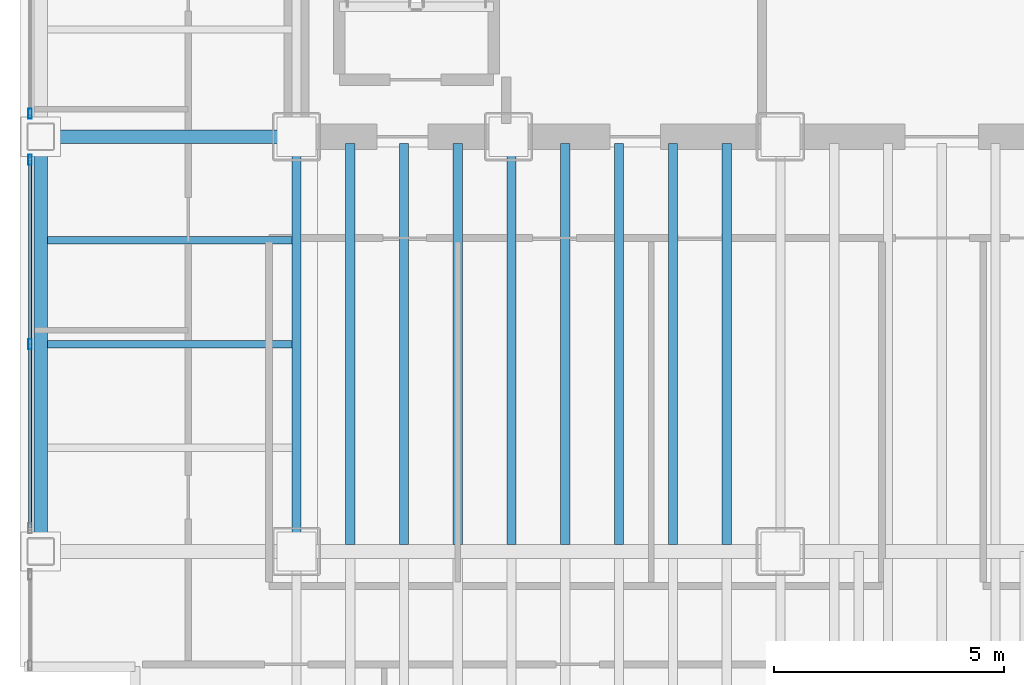
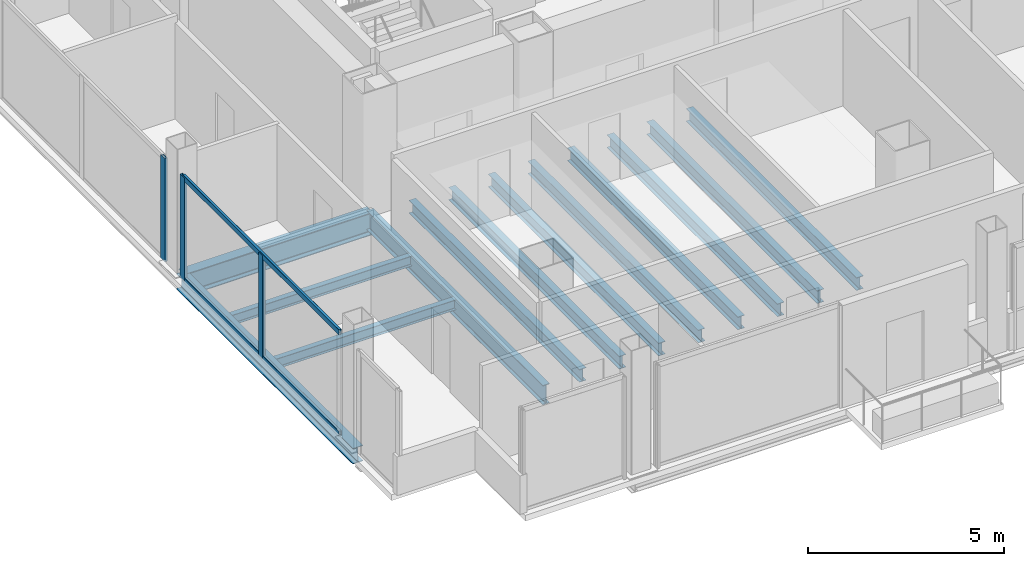
# One storey, part 3 of 20: 13 beams, 5 members, 2 elements without a shape of their own.
"""IFC4 building model written with IfcOpenShell, lengths in metres."""

from ifc_helpers import new_model, si_unit, direction, frame, origin, origin_2d, place, context, subcontext, project, spatial, hollow_rectangle, i_section, extrude, material, material_profile, profile_set, type_object, element, aggregate, save


model = new_model("IFC4")

# Units and contexts
model_context = context("Model", 3, precision=1e-05, world=origin(), true_north=direction((0.0, 1.0)))
body_context = subcontext(model_context, "Body", "Model", "MODEL_VIEW")
ifc_project = project(units=[si_unit("LENGTHUNIT", "METRE"), si_unit("AREAUNIT", "SQUARE_METRE"), si_unit("VOLUMEUNIT", "CUBIC_METRE"), si_unit("PLANEANGLEUNIT", "RADIAN"), si_unit("MASSUNIT", "GRAM", prefix="KILO")], contexts=[model_context])

# Site, building, storey
site_placement = place(None, origin())
site = spatial("IfcSite", under=ifc_project, at=site_placement, CompositionType="ELEMENT")
building_placement = place(site_placement, origin())
building = spatial("IfcBuilding", under=site, at=building_placement, Name="Noeulbin Bourse Tower", CompositionType="ELEMENT")
storey_placement = place(building_placement, frame((0.0, 0.0, 61.60009765625)))
storey = spatial("IfcBuildingStorey", under=building, at=storey_placement, Name="L15", CompositionType="ELEMENT", Elevation=61.60009765625)

# Beams
ifc_material_1 = material(Name="Steel S355", Category="steel")
ifc_material_profile_1 = material_profile(ifc_material_1, i_section(OverallWidth=0.199951171875, OverallDepth=0.60009765625, WebThickness=0.010986328125, FlangeThickness=0.01708984375, FilletRadius=0.02197265625, at=origin_2d()), Name="H-600x200x11x17", Category="LoadBearing")
ifc_profile_set_1 = profile_set([ifc_material_profile_1], Name="Steel S355")
beam_type_1 = type_object("IfcBeamType", Name="BM-GRD-600", PredefinedType="USERDEFINED", material=ifc_profile_set_1)
beam_1_placement = place(storey_placement, frame((13.5, 20.0, -0.47998046875), z_axis=(0.0, 1.0, 0.0), x_axis=(-1.0, 0.0, 0.0)))
element("IfcBeam", 1, at=beam_1_placement, inside=storey, type_object=beam_type_1, Name="Tower Primary Girder NS L15-1.2", ObjectType="GIRDER", PredefinedType="USERDEFINED", context=body_context, shape_type="SweptSolid", body=[
    extrude(i_section(OverallWidth=0.199951171875, OverallDepth=0.60009765625, WebThickness=0.010986328125, FlangeThickness=0.01708984375, FilletRadius=0.02197265625, at=origin_2d()), origin(), (0.0, 0.0, 1.0), 9.0),
])
ifc_material_profile_2 = material_profile(ifc_material_1, i_section(OverallWidth=0.300048828125, OverallDepth=0.699951171875, WebThickness=0.012939453125, FlangeThickness=0.02392578125, FilletRadius=0.02392578125, at=origin_2d()), Name="H-700x300x13x24", Category="LoadBearing")
ifc_profile_set_2 = profile_set([ifc_material_profile_2], Name="Steel S355")
beam_type_2 = type_object("IfcBeamType", Name="BM-GRD-700", PredefinedType="USERDEFINED", material=ifc_profile_set_2)
beam_2_placement = place(storey_placement, frame((7.949951171875, 29.0, -0.530029296875), z_axis=(1.0, 0.0, 0.0), x_axis=(0.0, 1.0, 0.0)))
element("IfcBeam", 2, at=beam_2_placement, inside=storey, type_object=beam_type_2, Name="Tower Primary Girder EW L15-2.1", ObjectType="GIRDER", PredefinedType="USERDEFINED", context=body_context, shape_type="SweptSolid", body=[
    extrude(i_section(OverallWidth=0.300048828125, OverallDepth=0.699951171875, WebThickness=0.012939453125, FlangeThickness=0.02392578125, FilletRadius=0.02392578125, at=origin_2d()), origin(), (0.0, 0.0, 1.0), 5.550048828125),
])
ifc_material_profile_3 = material_profile(ifc_material_1, i_section(OverallWidth=0.159912109375, OverallDepth=0.320068359375, WebThickness=0.006591796875, FlangeThickness=0.010009765625, FilletRadius=0.012939453125, at=origin_2d()), Name="H-320x160x6.5x10", Category="LoadBearing")
ifc_profile_set_3 = profile_set([ifc_material_profile_3], Name="Steel S355")
beam_type_3 = type_object("IfcBeamType", Name="BM-JST-320", PredefinedType="JOIST", material=ifc_profile_set_3)
for number, where, z_axis, x_axis, name in (
    (3, (8.10009765625, 24.5, -0.340087890625), (1.0, 0.0, 0.0), (0.0, 1.0, 0.0), "Wing Composite Joist L15-W71"),
    (4, (8.10009765625, 26.75, -0.340087890625), (1.0, 0.0, 0.0), (0.0, 1.0, 0.0), "Wing Composite Joist L15-W72"),
):
    element("IfcBeam", number, at=place(storey_placement, frame(where, z_axis=z_axis, x_axis=x_axis)), inside=storey, type_object=beam_type_3, Name=name, PredefinedType="JOIST", context=body_context, shape_type="SweptSolid", body=[
        extrude(i_section(OverallWidth=0.159912109375, OverallDepth=0.320068359375, WebThickness=0.006591796875, FlangeThickness=0.010009765625, FilletRadius=0.012939453125, at=origin_2d()), origin(), (0.0, 0.0, 1.0), 5.2998046875),
    ])
ifc_material_profile_4 = material_profile(ifc_material_1, i_section(OverallWidth=0.199951171875, OverallDepth=0.39990234375, WebThickness=0.008056640625, FlangeThickness=0.012939453125, FilletRadius=0.01611328125, at=origin_2d()), Name="H-400x200x8x13", Category="LoadBearing")
ifc_profile_set_4 = profile_set([ifc_material_profile_4], Name="Steel S355")
beam_type_4 = type_object("IfcBeamType", Name="BM-SEC-400", PredefinedType="BEAM", material=ifc_profile_set_4)
for number, where, z_axis, x_axis, name in (
    (5, (14.666748046875, 20.14990234375, -0.380126953125), (0.0, 1.0, 0.0), (-1.0, 0.0, 0.0), "Tower Composite Joist L15-02"),
    (6, (15.833251953125, 20.14990234375, -0.380126953125), (0.0, 1.0, 0.0), (-1.0, 0.0, 0.0), "Tower Composite Joist L15-05"),
    (7, (17.0, 20.14990234375, -0.380126953125), (0.0, 1.0, 0.0), (-1.0, 0.0, 0.0), "Tower Composite Joist L15-08"),
    (8, (18.166748046875, 20.14990234375, -0.380126953125), (0.0, 1.0, 0.0), (-1.0, 0.0, 0.0), "Tower Composite Joist L15-11"),
    (9, (19.333251953125, 20.14990234375, -0.380126953125), (0.0, 1.0, 0.0), (-1.0, 0.0, 0.0), "Tower Composite Joist L15-14"),
    (10, (20.5, 20.14990234375, -0.380126953125), (0.0, 1.0, 0.0), (-1.0, 0.0, 0.0), "Tower Composite Joist L15-17"),
    (11, (21.666748046875, 20.14990234375, -0.380126953125), (0.0, 1.0, 0.0), (-1.0, 0.0, 0.0), "Tower Composite Joist L15-20"),
    (12, (22.833251953125, 20.14990234375, -0.380126953125), (0.0, 1.0, 0.0), (-1.0, 0.0, 0.0), "Tower Composite Joist L15-23"),
):
    element("IfcBeam", number, at=place(storey_placement, frame(where, z_axis=z_axis, x_axis=x_axis)), inside=storey, type_object=beam_type_4, Name=name, PredefinedType="BEAM", context=body_context, shape_type="SweptSolid", body=[
        extrude(i_section(OverallWidth=0.199951171875, OverallDepth=0.39990234375, WebThickness=0.008056640625, FlangeThickness=0.012939453125, FilletRadius=0.01611328125, at=origin_2d()), origin(), (0.0, 0.0, 1.0), 8.7001953125),
    ])
ifc_material_profile_5 = material_profile(ifc_material_1, i_section(OverallWidth=0.300048828125, OverallDepth=0.488037109375, WebThickness=0.010986328125, FlangeThickness=0.01806640625, FilletRadius=0.02197265625, at=origin_2d()), Name="H-488x300x11x18", Category="LoadBearing")
ifc_profile_set_5 = profile_set([ifc_material_profile_5], Name="Steel S355")
beam_type_5 = type_object("IfcBeamType", Name="BM-SPN-488", PredefinedType="SPANDREL", material=ifc_profile_set_5)
beam_3_placement = place(storey_placement, frame((7.949951171875, 20.0, -0.424072265625), z_axis=(0.0, 1.0, 0.0), x_axis=(-1.0, 0.0, 0.0)))
element("IfcBeam", 13, at=beam_3_placement, inside=storey, type_object=beam_type_5, Name="West Spandrel L15-1", PredefinedType="SPANDREL", context=body_context, shape_type="SweptSolid", body=[
    extrude(i_section(OverallWidth=0.300048828125, OverallDepth=0.488037109375, WebThickness=0.010986328125, FlangeThickness=0.01806640625, FilletRadius=0.02197265625, at=origin_2d()), origin(), (0.0, 0.0, 1.0), 9.0),
])

# Curtain wall, members
ifc_material_2 = material(Name="Dark Solar-Control Double Glazing", Category="glass")
curtain_wall_type = type_object("IfcCurtainWallType", Name="CW-SYS-2", PredefinedType="NOTDEFINED", material=ifc_material_2)
curtain_wall_1_placement = place(storey_placement, origin())
curtain_wall_1 = element("IfcCurtainWall", 14, at=curtain_wall_1_placement, inside=storey, type_object=curtain_wall_type, Name="Unitised Curtain Wall CW-L15-W-S2", PredefinedType="NOTDEFINED")
ifc_material_3 = material(Name="Anodised Aluminium 6063-T6", Category="aluminium")
ifc_material_profile_6 = material_profile(ifc_material_3, hollow_rectangle(XDim=0.074951171875, YDim=0.219970703125, WallThickness=0.0048828125, InnerFilletRadius=0.00244140625, OuterFilletRadius=0.0048828125, at=origin_2d()), Name="ALU-MULL-75x220x5", Category="LoadBearing")
ifc_profile_set_6 = profile_set([ifc_material_profile_6], Name="Anodised Aluminium 6063-T6")
member_type_1 = type_object("IfcMemberType", Name="CW-SYS-2-MUL", PredefinedType="MULLION", material=ifc_profile_set_6)
member_1_placement = place(storey_placement, frame((7.719970703125, 24.5, -0.02001953125), z_axis=(0.0, 0.0, 1.0), x_axis=(1.0, 0.0, 0.0)))
member_1 = element("IfcMember", 15, at=member_1_placement, type_object=member_type_1, Name="Curtain Wall Mullion CW-L15-W-S2-M01", PredefinedType="MULLION", context=body_context, shape_type="SweptSolid", body=[
    extrude(hollow_rectangle(XDim=0.074951171875, YDim=0.219970703125, WallThickness=0.0048828125, InnerFilletRadius=0.00244140625, OuterFilletRadius=0.0048828125, at=origin_2d()), origin(), (0.0, 0.0, 1.0), 3.219970703125),
])
member_2_placement = place(storey_placement, frame((7.719970703125, 28.5, -0.02001953125), z_axis=(0.0, 0.0, 1.0), x_axis=(1.0, 0.0, 0.0)))
member_2 = element("IfcMember", 16, at=member_2_placement, type_object=member_type_1, Name="Curtain Wall Mullion CW-L15-W-S2-M02", PredefinedType="MULLION", context=body_context, shape_type="SweptSolid", body=[
    extrude(hollow_rectangle(XDim=0.074951171875, YDim=0.219970703125, WallThickness=0.0048828125, InnerFilletRadius=0.00244140625, OuterFilletRadius=0.0048828125, at=origin_2d()), origin(), (0.0, 0.0, 1.0), 3.219970703125),
])

# Curtain wall, member
curtain_wall_2_placement = place(storey_placement, origin())
curtain_wall_2 = element("IfcCurtainWall", 17, at=curtain_wall_2_placement, inside=storey, type_object=curtain_wall_type, Name="Unitised Curtain Wall CW-L15-W-S3", PredefinedType="NOTDEFINED")
member_3_placement = place(storey_placement, frame((7.719970703125, 29.5, -0.02001953125), z_axis=(0.0, 0.0, 1.0), x_axis=(1.0, 0.0, 0.0)))
member_3 = element("IfcMember", 18, at=member_3_placement, type_object=member_type_1, Name="Curtain Wall Mullion CW-L15-W-S3-M00", PredefinedType="MULLION", context=body_context, shape_type="SweptSolid", body=[
    extrude(hollow_rectangle(XDim=0.074951171875, YDim=0.219970703125, WallThickness=0.0048828125, InnerFilletRadius=0.00244140625, OuterFilletRadius=0.0048828125, at=origin_2d()), origin(), (0.0, 0.0, 1.0), 3.219970703125),
])
aggregate(curtain_wall_2, [member_3])

# Member
ifc_material_profile_7 = material_profile(ifc_material_3, hollow_rectangle(XDim=0.074951171875, YDim=0.159912109375, WallThickness=0.0048828125, InnerFilletRadius=0.00244140625, OuterFilletRadius=0.0048828125, at=origin_2d()), Name="ALU-TRAN-75x160x5", Category="LoadBearing")
ifc_profile_set_7 = profile_set([ifc_material_profile_7], Name="Anodised Aluminium 6063-T6")
member_type_2 = type_object("IfcMemberType", Name="CW-SYS-2-TRN", PredefinedType="USERDEFINED", material=ifc_profile_set_7)
member_4_placement = place(storey_placement, frame((7.719970703125, 20.510009765625, 0.010009765625), z_axis=(0.0, 1.0, 0.0), x_axis=(-1.0, 0.0, 0.0)))
member_4 = element("IfcMember", 19, at=member_4_placement, type_object=member_type_2, Name="Curtain Wall Transom CW-L15-W-S2-T00", ObjectType="TRANSOM", PredefinedType="USERDEFINED", context=body_context, shape_type="SweptSolid", body=[
    extrude(hollow_rectangle(XDim=0.074951171875, YDim=0.159912109375, WallThickness=0.0048828125, InnerFilletRadius=0.00244140625, OuterFilletRadius=0.0048828125, at=origin_2d()), origin(), (0.0, 0.0, 1.0), 7.97998046875),
])

member_5_placement = place(storey_placement, frame((7.719970703125, 20.510009765625, 3.169921875), z_axis=(0.0, 1.0, 0.0), x_axis=(-1.0, 0.0, 0.0)))
member_5 = element("IfcMember", 20, at=member_5_placement, type_object=member_type_2, Name="Curtain Wall Transom CW-L15-W-S2-T01", ObjectType="TRANSOM", PredefinedType="USERDEFINED", context=body_context, shape_type="SweptSolid", body=[
    extrude(hollow_rectangle(XDim=0.074951171875, YDim=0.159912109375, WallThickness=0.0048828125, InnerFilletRadius=0.00244140625, OuterFilletRadius=0.0048828125, at=origin_2d()), origin(), (0.0, 0.0, 1.0), 7.97998046875),
])

aggregate(curtain_wall_1, [member_1, member_2, member_4, member_5])

save(model, "model.ifc")
